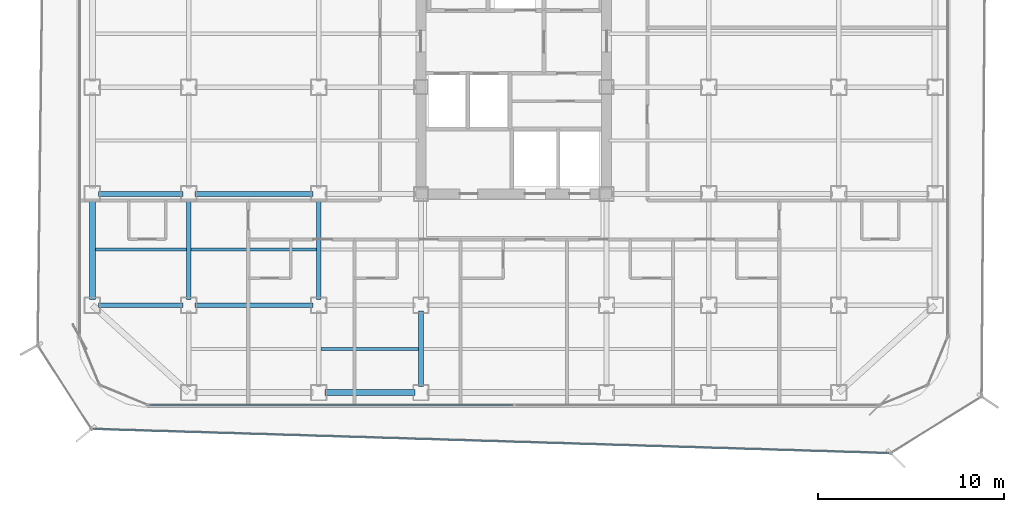
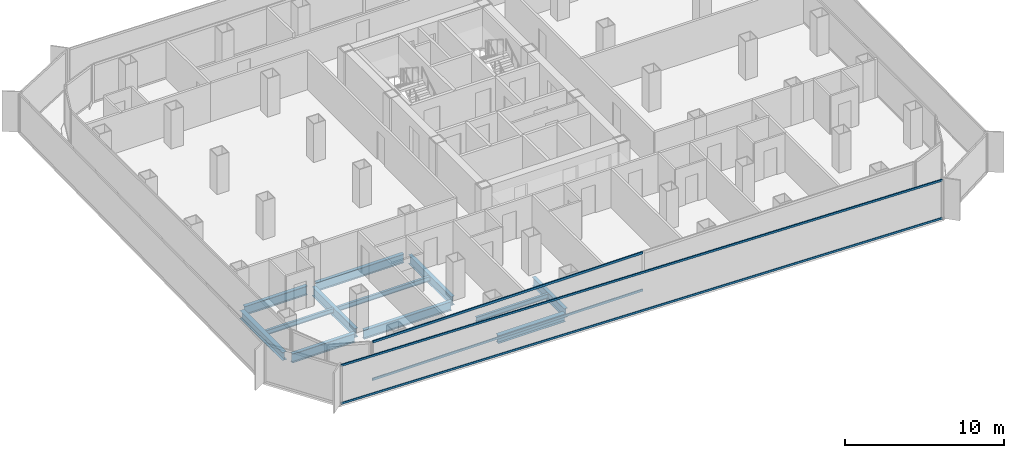
# One storey, part 3 of 21: 12 beams, 4 members, 2 elements without a shape of their own.
"""IFC4 building model written with IfcOpenShell, lengths in metres."""

from ifc_helpers import new_model, si_unit, direction, frame, origin, origin_2d, place, context, subcontext, project, spatial, hollow_rectangle, i_section, extrude, source, transform, mapped, material, layer, layer_set, material_profile, profile_set, type_object, element, aggregate, save


model = new_model("IFC4")

# Units and contexts
model_context = context("Model", 3, precision=1e-05, world=origin(), true_north=direction((0.0, 1.0)))
body_context = subcontext(model_context, "Body", "Model", "MODEL_VIEW")
ifc_project = project(units=[si_unit("LENGTHUNIT", "METRE"), si_unit("AREAUNIT", "SQUARE_METRE"), si_unit("VOLUMEUNIT", "CUBIC_METRE"), si_unit("PLANEANGLEUNIT", "RADIAN"), si_unit("MASSUNIT", "GRAM", prefix="KILO")], contexts=[model_context])

# Site, building, storey
site_placement = place(None, origin())
site = spatial("IfcSite", under=ifc_project, at=site_placement, CompositionType="ELEMENT")
building_placement = place(site_placement, origin())
building = spatial("IfcBuilding", under=site, at=building_placement, Name="Kolveth Station Tower", CompositionType="ELEMENT")
storey_placement = place(building_placement, frame((0.0, 0.0, 99.10009765625)))
storey = spatial("IfcBuildingStorey", under=building, at=storey_placement, Name="L26", CompositionType="ELEMENT", Elevation=99.10009765625)

# Beams
ifc_material_1 = material(Name="Steel S355", Category="steel")
ifc_material_profile_1 = material_profile(ifc_material_1, i_section(OverallWidth=0.323974609375, OverallDepth=0.611083984375, WebThickness=0.0126953125, FlangeThickness=0.01904296875, at=origin_2d()), Name="W610x155")
ifc_profile_set_1 = profile_set([ifc_material_profile_1], Name="Steel S355")
beam_type_1 = type_object("IfcBeamType", Name="Beam_SP2", PredefinedType="SPANDREL", material=ifc_profile_set_1)
shared_shape_1 = source(origin(), body_context, "Body", "SweptSolid", [
    extrude(i_section(OverallWidth=0.323974609375, OverallDepth=0.611083984375, WebThickness=0.0126953125, FlangeThickness=0.01904296875, at=origin_2d()), origin(), (0.0, 0.0, 1.0), 4.85986328125),
])
beam_1_placement = place(storey_placement, frame((13.320068359375, 0.800048828125, -0.5556640625), z_axis=(1.0, 0.0, 0.0), x_axis=(0.0, 1.0, 0.0)))
element("IfcBeam", 1, at=beam_1_placement, inside=storey, type_object=beam_type_1, Name="L26 Perimeter Spandrel BM-L26-PS-2", PredefinedType="SPANDREL", context=body_context, shape_type="MappedRepresentation", body=[
    mapped(shared_shape_1, transform((0.0, 0.0, 0.0), x_axis=(1.0, 0.0, 0.0), y_axis=(0.0, 1.0, 0.0), z_axis=(0.0, 0.0, 1.0), scale=1.0)),
])
shared_shape_2 = source(origin(), body_context, "Body", "SweptSolid", [
    extrude(i_section(OverallWidth=0.323974609375, OverallDepth=0.611083984375, WebThickness=0.0126953125, FlangeThickness=0.01904296875, at=origin_2d()), origin(), (0.0, 0.0, 1.0), 5.35986328125),
])
beam_2_placement = place(storey_placement, frame((0.800048828125, 5.820068359375, -0.5556640625), z_axis=(0.0, 1.0, 0.0), x_axis=(-1.0, 0.0, 0.0)))
element("IfcBeam", 2, at=beam_2_placement, inside=storey, type_object=beam_type_1, Name="L26 Perimeter Spandrel BM-L26-PW-1", PredefinedType="SPANDREL", context=body_context, shape_type="MappedRepresentation", body=[
    mapped(shared_shape_2, transform((0.0, 0.0, 0.0), x_axis=(1.0, 0.0, 0.0), y_axis=(0.0, 1.0, 0.0), z_axis=(0.0, 0.0, 1.0), scale=1.0)),
])
ifc_material_profile_2 = material_profile(ifc_material_1, i_section(OverallWidth=0.25390625, OverallDepth=0.68798828125, WebThickness=0.01318359375, FlangeThickness=0.02099609375, at=origin_2d()), Name="W690x152")
ifc_profile_set_2 = profile_set([ifc_material_profile_2], Name="Steel S355")
beam_type_2 = type_object("IfcBeamType", Name="Beam_B4", PredefinedType="BEAM", material=ifc_profile_set_2)
shared_shape_3 = source(origin(), body_context, "Body", "SweptSolid", [
    extrude(i_section(OverallWidth=0.25390625, OverallDepth=0.68798828125, WebThickness=0.01318359375, FlangeThickness=0.02099609375, at=origin_2d()), origin(), (0.0, 0.0, 1.0), 4.559814453125),
])
for number, where, z_axis, x_axis, name in (
    (3, (1.1201171875, 5.5, -0.593994140625), (1.0, 0.0, 0.0), (0.0, 1.0, 0.0), "L26 Primary Girder BM-L26-GY55-1"),
    (4, (1.1201171875, 11.5, -0.593994140625), (1.0, 0.0, 0.0), (0.0, 1.0, 0.0), "L26 Primary Girder BM-L26-GY115-1"),
):
    element("IfcBeam", number, at=place(storey_placement, frame(where, z_axis=z_axis, x_axis=x_axis)), inside=storey, type_object=beam_type_2, Name=name, PredefinedType="BEAM", context=body_context, shape_type="MappedRepresentation", body=[
        mapped(shared_shape_3, transform((0.0, 0.0, 0.0), x_axis=(1.0, 0.0, 0.0), y_axis=(0.0, 1.0, 0.0), z_axis=(0.0, 0.0, 1.0), scale=1.0)),
    ])
shared_shape_4 = source(origin(), body_context, "Body", "SweptSolid", [
    extrude(i_section(OverallWidth=0.25390625, OverallDepth=0.68798828125, WebThickness=0.01318359375, FlangeThickness=0.02099609375, at=origin_2d()), origin(), (0.0, 0.0, 1.0), 6.35986328125),
])
for number, where, z_axis, x_axis, name in (
    (5, (6.320068359375, 5.5, -0.593994140625), (1.0, 0.0, 0.0), (0.0, 1.0, 0.0), "L26 Primary Girder BM-L26-GY55-2"),
    (6, (6.320068359375, 11.5, -0.593994140625), (1.0, 0.0, 0.0), (0.0, 1.0, 0.0), "L26 Primary Girder BM-L26-GY115-2"),
):
    element("IfcBeam", number, at=place(storey_placement, frame(where, z_axis=z_axis, x_axis=x_axis)), inside=storey, type_object=beam_type_2, Name=name, PredefinedType="BEAM", context=body_context, shape_type="MappedRepresentation", body=[
        mapped(shared_shape_4, transform((0.0, 0.0, 0.0), x_axis=(1.0, 0.0, 0.0), y_axis=(0.0, 1.0, 0.0), z_axis=(0.0, 0.0, 1.0), scale=1.0)),
    ])
shared_shape_5 = source(origin(), body_context, "Body", "SweptSolid", [
    extrude(i_section(OverallWidth=0.25390625, OverallDepth=0.68798828125, WebThickness=0.01318359375, FlangeThickness=0.02099609375, at=origin_2d()), origin(), (0.0, 0.0, 1.0), 4.059814453125),
])
beam_3_placement = place(storey_placement, frame((18.5, 1.1201171875, -0.593994140625), z_axis=(0.0, 1.0, 0.0), x_axis=(-1.0, 0.0, 0.0)))
element("IfcBeam", 7, at=beam_3_placement, inside=storey, type_object=beam_type_2, Name="L26 Primary Girder BM-L26-GX185-1", PredefinedType="BEAM", context=body_context, shape_type="MappedRepresentation", body=[
    mapped(shared_shape_5, transform((0.0, 0.0, 0.0), x_axis=(1.0, 0.0, 0.0), y_axis=(0.0, 1.0, 0.0), z_axis=(0.0, 0.0, 1.0), scale=1.0)),
])
shared_shape_6 = source(origin(), body_context, "Body", "SweptSolid", [
    extrude(i_section(OverallWidth=0.25390625, OverallDepth=0.68798828125, WebThickness=0.01318359375, FlangeThickness=0.02099609375, at=origin_2d()), origin(), (0.0, 0.0, 1.0), 5.35986328125),
])
for number, where, z_axis, x_axis, name in (
    (8, (6.0, 5.820068359375, -0.593994140625), (0.0, 1.0, 0.0), (-1.0, 0.0, 0.0), "L26 Primary Girder BM-L26-GX60-2"),
    (9, (13.0, 5.820068359375, -0.593994140625), (0.0, 1.0, 0.0), (-1.0, 0.0, 0.0), "L26 Primary Girder BM-L26-GX130-2"),
):
    element("IfcBeam", number, at=place(storey_placement, frame(where, z_axis=z_axis, x_axis=x_axis)), inside=storey, type_object=beam_type_2, Name=name, PredefinedType="BEAM", context=body_context, shape_type="MappedRepresentation", body=[
        mapped(shared_shape_6, transform((0.0, 0.0, 0.0), x_axis=(1.0, 0.0, 0.0), y_axis=(0.0, 1.0, 0.0), z_axis=(0.0, 0.0, 1.0), scale=1.0)),
    ])
ifc_material_profile_3 = material_profile(ifc_material_1, i_section(OverallWidth=0.1708984375, OverallDepth=0.35205078125, WebThickness=0.0068359375, FlangeThickness=0.009765625, at=origin_2d()), Name="W360x44")
ifc_profile_set_3 = profile_set([ifc_material_profile_3], Name="Steel S355")
beam_type_3 = type_object("IfcBeamType", Name="Beam_J2", PredefinedType="JOIST", material=ifc_profile_set_3)
shared_shape_7 = source(origin(), body_context, "Body", "SweptSolid", [
    extrude(i_section(OverallWidth=0.1708984375, OverallDepth=0.35205078125, WebThickness=0.0068359375, FlangeThickness=0.009765625, at=origin_2d()), origin(), (0.0, 0.0, 1.0), 4.9150390625),
])
beam_4_placement = place(storey_placement, frame((0.9599609375, 8.5, -0.426025390625), z_axis=(1.0, 0.0, 0.0), x_axis=(0.0, 1.0, 0.0)))
element("IfcBeam", 10, at=beam_4_placement, inside=storey, type_object=beam_type_3, Name="L26 Secondary Joist JST-L26-1-2", PredefinedType="JOIST", context=body_context, shape_type="MappedRepresentation", body=[
    mapped(shared_shape_7, transform((0.0, 0.0, 0.0), x_axis=(1.0, 0.0, 0.0), y_axis=(0.0, 1.0, 0.0), z_axis=(0.0, 0.0, 1.0), scale=1.0)),
])
shared_shape_8 = source(origin(), body_context, "Body", "SweptSolid", [
    extrude(i_section(OverallWidth=0.1708984375, OverallDepth=0.35205078125, WebThickness=0.0068359375, FlangeThickness=0.009765625, at=origin_2d()), origin(), (0.0, 0.0, 1.0), 6.75),
])
beam_5_placement = place(storey_placement, frame((6.125, 8.5, -0.426025390625), z_axis=(1.0, 0.0, 0.0), x_axis=(0.0, 1.0, 0.0)))
element("IfcBeam", 11, at=beam_5_placement, inside=storey, type_object=beam_type_3, Name="L26 Secondary Joist JST-L26-2-2", PredefinedType="JOIST", context=body_context, shape_type="MappedRepresentation", body=[
    mapped(shared_shape_8, transform((0.0, 0.0, 0.0), x_axis=(1.0, 0.0, 0.0), y_axis=(0.0, 1.0, 0.0), z_axis=(0.0, 0.0, 1.0), scale=1.0)),
])
shared_shape_9 = source(origin(), body_context, "Body", "SweptSolid", [
    extrude(i_section(OverallWidth=0.1708984375, OverallDepth=0.35205078125, WebThickness=0.0068359375, FlangeThickness=0.009765625, at=origin_2d()), origin(), (0.0, 0.0, 1.0), 5.25),
])
beam_6_placement = place(storey_placement, frame((13.125, 3.14990234375, -0.426025390625), z_axis=(1.0, 0.0, 0.0), x_axis=(0.0, 1.0, 0.0)))
element("IfcBeam", 12, at=beam_6_placement, inside=storey, type_object=beam_type_3, Name="L26 Secondary Joist JST-L26-3-1", PredefinedType="JOIST", context=body_context, shape_type="MappedRepresentation", body=[
    mapped(shared_shape_9, transform((0.0, 0.0, 0.0), x_axis=(1.0, 0.0, 0.0), y_axis=(0.0, 1.0, 0.0), z_axis=(0.0, 0.0, 1.0), scale=1.0)),
])

# Curtain wall, members
ifc_material_2 = material(Name="Aluminium 6063-T6 and low-E dark glass", Category="aluminium")
ifc_layer_1 = layer(ifc_material_2, 0.18994140625)
ifc_layer_set_1 = layer_set([ifc_layer_1], Name="Aluminium 6063-T6 and low-E dark glass")
curtain_wall_type_1 = type_object("IfcCurtainWallType", Name="CurtainWall_CW-Z2", PredefinedType="NOTDEFINED", material=ifc_layer_set_1)
curtain_wall_1_placement = place(storey_placement, origin())
curtain_wall_1 = element("IfcCurtainWall", 13, at=curtain_wall_1_placement, inside=storey, type_object=curtain_wall_type_1, Name="L26 Inner Thermal Curtain Wall 12", PredefinedType="NOTDEFINED")
ifc_material_3 = material(Name="Black anodized aluminium 6063-T6", Category="aluminium")
ifc_material_profile_4 = material_profile(ifc_material_3, hollow_rectangle(XDim=0.080078125, YDim=0.169921875, WallThickness=0.0048828125, at=origin_2d()), Name="ALU-80x170x5")
ifc_profile_set_4 = profile_set([ifc_material_profile_4], Name="Black anodized aluminium 6063-T6")
member_type_1 = type_object("IfcMemberType", Name="Transom_TR2", PredefinedType="USERDEFINED", material=ifc_profile_set_4)
shared_shape_10 = source(origin(), body_context, "Body", "SweptSolid", [
    extrude(hollow_rectangle(XDim=0.080078125, YDim=0.169921875, WallThickness=0.0048828125, at=origin_2d()), origin(), (0.0, 0.0, 1.0), 19.580078125),
])
member_1_placement = place(storey_placement, frame((3.8798828125, 0.1201171875, 0.039794921875), z_axis=(1.0, 0.0, 0.0), x_axis=(0.0, 1.0, 0.0)))
member_1 = element("IfcMember", 14, at=member_1_placement, type_object=member_type_1, Name="CW-Z2 transom 1.1", ObjectType="TRANSOM", PredefinedType="USERDEFINED", context=body_context, shape_type="MappedRepresentation", body=[
    mapped(shared_shape_10, transform((0.0, 0.0, 0.0), x_axis=(1.0, 0.0, 0.0), y_axis=(0.0, 1.0, 0.0), z_axis=(0.0, 0.0, 1.0), scale=1.0)),
])
member_2_placement = place(storey_placement, frame((3.8798828125, 0.1201171875, 2.909912109375), z_axis=(1.0, 0.0, 0.0), x_axis=(0.0, 1.0, 0.0)))
member_2 = element("IfcMember", 15, at=member_2_placement, type_object=member_type_1, Name="CW-Z2 transom 1.2", ObjectType="TRANSOM", PredefinedType="USERDEFINED", context=body_context, shape_type="MappedRepresentation", body=[
    mapped(shared_shape_10, transform((0.0, 0.0, 0.0), x_axis=(1.0, 0.0, 0.0), y_axis=(0.0, 1.0, 0.0), z_axis=(0.0, 0.0, 1.0), scale=1.0)),
])
aggregate(curtain_wall_1, [member_1, member_2])

ifc_material_4 = material(Name="Black anodized aluminium 6063-T6 and dark solar glass", Category="aluminium")
ifc_layer_2 = layer(ifc_material_4, 0.159912109375)
ifc_layer_set_2 = layer_set([ifc_layer_2], Name="Black anodized aluminium 6063-T6 and dark solar glass")
curtain_wall_type_2 = type_object("IfcCurtainWallType", Name="OUTER SKIN CW-OS", PredefinedType="NOTDEFINED", material=ifc_layer_set_2)
curtain_wall_2_placement = place(storey_placement, origin())
curtain_wall_2 = element("IfcCurtainWall", 16, at=curtain_wall_2_placement, inside=storey, type_object=curtain_wall_type_2, Name="L26 Outer Ventilated Skin Curtain Wall 8", PredefinedType="NOTDEFINED")
ifc_material_profile_5 = material_profile(ifc_material_3, hollow_rectangle(XDim=0.080078125, YDim=0.14990234375, WallThickness=0.0048828125, at=origin_2d()), Name="ALU-80x150x5")
ifc_profile_set_5 = profile_set([ifc_material_profile_5], Name="Black anodized aluminium 6063-T6")
member_type_2 = type_object("IfcMemberType", Name="Transom_TR-OS", PredefinedType="USERDEFINED", material=ifc_profile_set_5)
shared_shape_11 = source(origin(), body_context, "Body", "SweptSolid", [
    extrude(hollow_rectangle(XDim=0.080078125, YDim=0.14990234375, WallThickness=0.0048828125, at=origin_2d()), origin(), (0.0, 0.0, 1.0), 42.886962890625),
])
member_3_placement = place(storey_placement, frame((0.845458984375, -1.162353515625, 0.039794921875), z_axis=(0.999539406969, -0.030347552047, 0.0), x_axis=(0.030347552047, 0.999539406969, 0.0)))
member_3 = element("IfcMember", 17, at=member_3_placement, type_object=member_type_2, Name="CW-OS transom 1.1", ObjectType="TRANSOM", PredefinedType="USERDEFINED", context=body_context, shape_type="MappedRepresentation", body=[
    mapped(shared_shape_11, transform((0.0, 0.0, 0.0), x_axis=(1.0, 0.0, 0.0), y_axis=(0.0, 1.0, 0.0), z_axis=(0.0, 0.0, 1.0), scale=1.0)),
])
member_4_placement = place(storey_placement, frame((0.845458984375, -1.162353515625, 2.949951171875), z_axis=(0.999539406969, -0.030347552047, 0.0), x_axis=(0.030347552047, 0.999539406969, 0.0)))
member_4 = element("IfcMember", 18, at=member_4_placement, type_object=member_type_2, Name="CW-OS transom 1.2", ObjectType="TRANSOM", PredefinedType="USERDEFINED", context=body_context, shape_type="MappedRepresentation", body=[
    mapped(shared_shape_11, transform((0.0, 0.0, 0.0), x_axis=(1.0, 0.0, 0.0), y_axis=(0.0, 1.0, 0.0), z_axis=(0.0, 0.0, 1.0), scale=1.0)),
])
aggregate(curtain_wall_2, [member_3, member_4])

save(model, "model.ifc")
